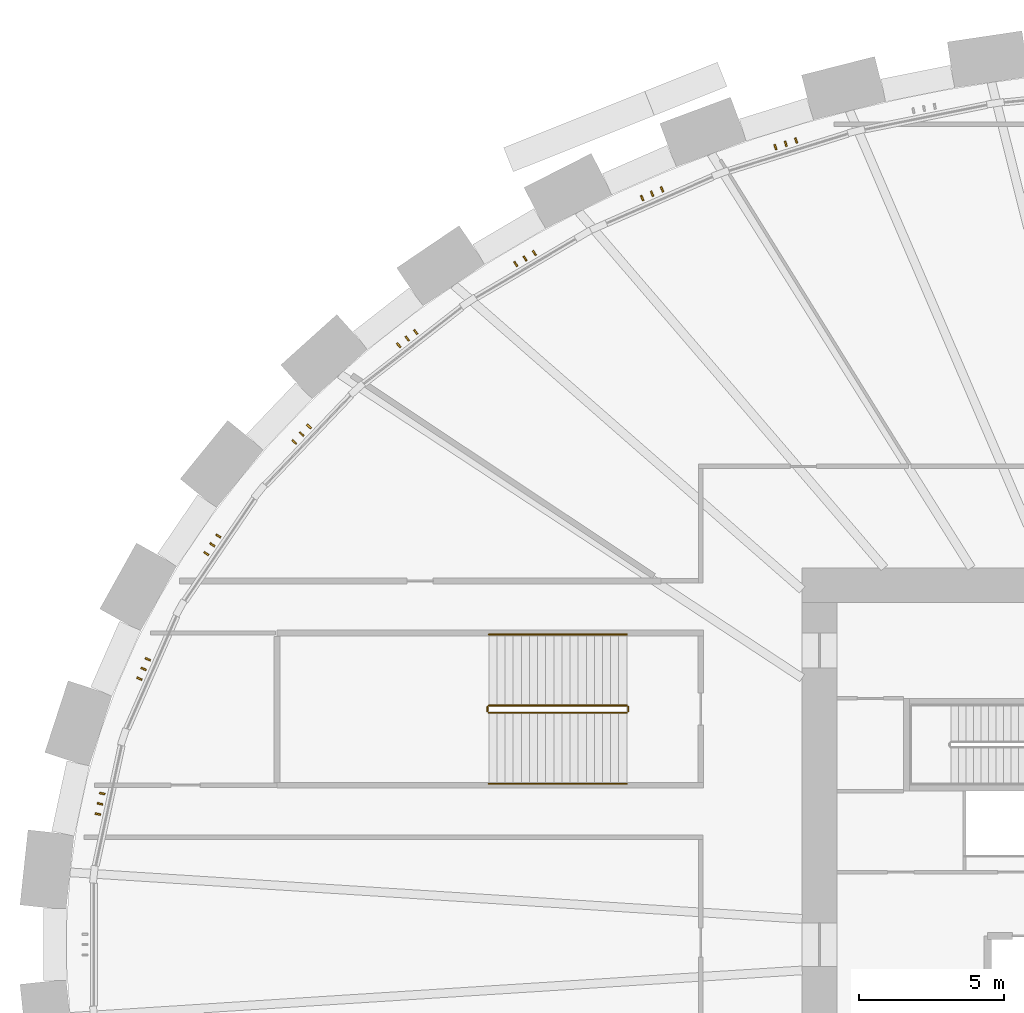
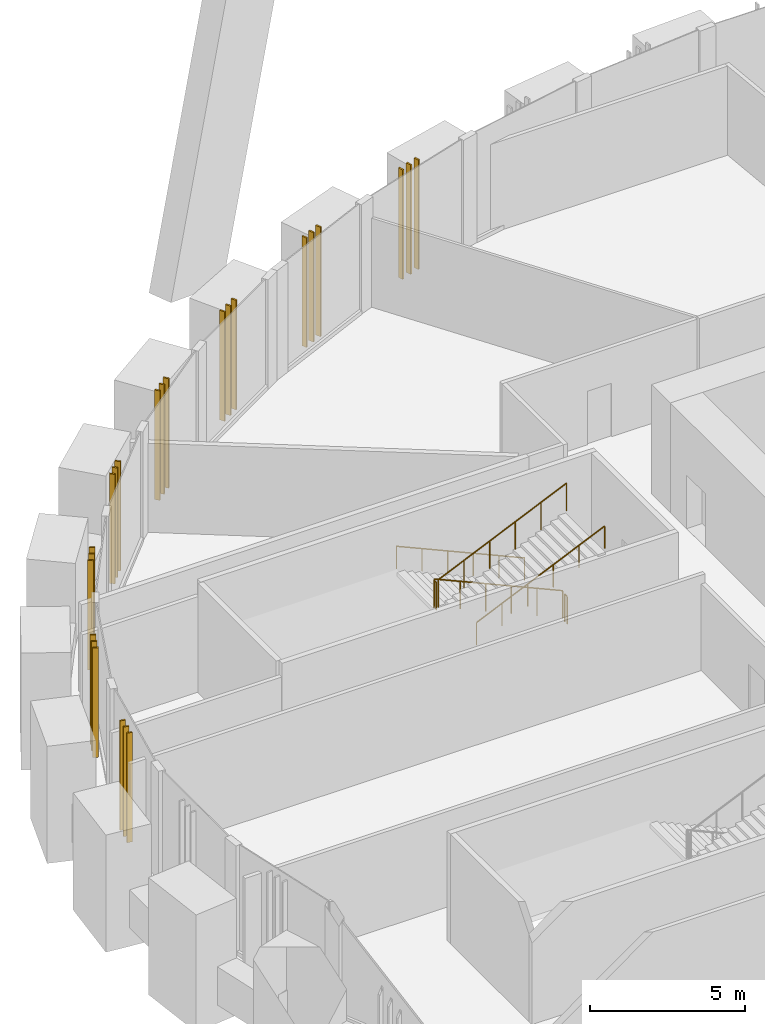
# One storey, part 16 of 21: 24 shading devices, 6 railings.
"""IFC4 building model written with IfcOpenShell, lengths in metres."""

from ifc_helpers import new_model, si_unit, direction, frame, origin, origin_2d, place, context, subcontext, project, spatial, rectangle, circle, extrude, source, transform, mapped, material, material_profile, profile_set, type_object, element, save


model = new_model("IFC4")

# Units and contexts
model_context = context("Model", 3, precision=1e-05, world=origin(), true_north=direction((0.0, 1.0)))
body_context = subcontext(model_context, "Body", "Model", "MODEL_VIEW")
ifc_project = project(units=[si_unit("LENGTHUNIT", "METRE"), si_unit("AREAUNIT", "SQUARE_METRE"), si_unit("VOLUMEUNIT", "CUBIC_METRE"), si_unit("PLANEANGLEUNIT", "RADIAN"), si_unit("MASSUNIT", "GRAM", prefix="KILO")], contexts=[model_context])

# Site, building, storey
site_placement = place(None, origin())
site = spatial("IfcSite", under=ifc_project, at=site_placement, CompositionType="ELEMENT")
building_placement = place(site_placement, origin())
building = spatial("IfcBuilding", under=site, at=building_placement, Name="Embergate Tower", CompositionType="ELEMENT")
storey_placement = place(building_placement, frame((0.0, 0.0, 33.5)))
storey = spatial("IfcBuildingStorey", under=building, at=storey_placement, Name="L04", CompositionType="ELEMENT", Elevation=33.5)

# Shading devices
ifc_material_1 = material(Name="Terracotta, extruded and glazed", Category="masonry")
ifc_material_profile = material_profile(ifc_material_1, rectangle(XDim=0.18994140625, YDim=0.06005859375, at=origin_2d()), Name="TC 190x60")
ifc_profile_set = profile_set([ifc_material_profile], Name="Terracotta, extruded and glazed")
shading_device_type = type_object("IfcShadingDeviceType", Name="Terracotta fin", PredefinedType="USERDEFINED", material=ifc_profile_set)
shared_shape_1 = source(origin(), body_context, "Body", "SweptSolid", [
    extrude(rectangle(XDim=0.18994140625, YDim=0.06005859375, at=origin_2d()), origin(), (0.0, 0.0, 1.0), 4.300048828125),
])
for number, where, z_axis, x_axis, name in (
    (1, (-14.20849609375, 27.742919921875, 0.0), (0.0, 0.0, 1.0), (0.297336547283, -0.954772736126, 0.0), "Fin 14.1"),
    (2, (-14.56640625, 27.631591796875, 0.0), (0.0, 0.0, 1.0), (0.297336547283, -0.954772736126, 0.0), "Fin 14.2"),
    (3, (-14.92431640625, 27.52001953125, 0.0), (0.0, 0.0, 1.0), (0.297336547283, -0.954772736126, 0.0), "Fin 14.3"),
    (4, (-18.8369140625, 26.060546875, 0.0), (0.0, 0.0, 1.0), (0.400636896638, -0.916236910986, 0.0), "Fin 15.1"),
    (5, (-19.179443359375, 25.910888671875, 0.0), (0.0, 0.0, 1.0), (0.400636896638, -0.916236910986, 0.0), "Fin 15.2"),
    (6, (-19.52197265625, 25.760986328125, 0.0), (0.0, 0.0, 1.0), (0.400636896638, -0.916236910986, 0.0), "Fin 15.3"),
    (7, (-23.2412109375, 23.863037109375, 0.0), (0.0, 0.0, 1.0), (0.506814843614, -0.862054936934, 0.0), "Fin 16.1"),
    (8, (-23.5625, 23.67431640625, 0.0), (0.0, 0.0, 1.0), (0.506814843614, -0.862054936934, 0.0), "Fin 16.2"),
    (9, (-23.8837890625, 23.4853515625, 0.0), (0.0, 0.0, 1.0), (0.506814843614, -0.862054936934, 0.0), "Fin 16.3"),
    (10, (-27.33642578125, 21.13818359375, 0.0), (0.0, 0.0, 1.0), (0.615262548398, -0.788322266931, 0.0), "Fin 17.1"),
    (11, (-27.62890625, 20.909912109375, 0.0), (0.0, 0.0, 1.0), (0.615262548398, -0.788322266931, 0.0), "Fin 17.2"),
    (12, (-27.92138671875, 20.681396484375, 0.0), (0.0, 0.0, 1.0), (0.615262548398, -0.788322266931, 0.0), "Fin 17.3"),
    (13, (-31.01513671875, 17.8798828125, 0.0), (0.0, 0.0, 1.0), (0.723678194673, -0.690137573644, 0.0), "Fin 18.1"),
    (14, (-31.269775390625, 17.61279296875, 0.0), (0.0, 0.0, 1.0), (0.723678194673, -0.690137573644, 0.0), "Fin 18.2"),
    (15, (-31.5244140625, 17.345703125, 0.0), (0.0, 0.0, 1.0), (0.723678194673, -0.690137573644, 0.0), "Fin 18.3"),
    (16, (-34.146240234375, 14.1005859375, 0.0), (0.0, 0.0, 1.0), (0.826901986809, -0.562346071572, 0.0), "Fin 19.1"),
    (17, (-34.352294921875, 13.797119140625, 0.0), (0.0, 0.0, 1.0), (0.826901986809, -0.562346071572, 0.0), "Fin 19.2"),
    (18, (-34.55859375, 13.493896484375, 0.0), (0.0, 0.0, 1.0), (0.826901986809, -0.562346071572, 0.0), "Fin 19.3"),
    (19, (-36.5771484375, 9.845458984375, 0.0), (0.0, 0.0, 1.0), (0.915790926844, -0.401655297873, 0.0), "Fin 20.1"),
    (20, (-36.723388671875, 9.51171875, 0.0), (0.0, 0.0, 1.0), (0.915790926844, -0.401655297873, 0.0), "Fin 20.2"),
    (21, (-36.869873046875, 9.177978515625, 0.0), (0.0, 0.0, 1.0), (0.915790926844, -0.401655297873, 0.0), "Fin 20.3"),
    (22, (-38.15185546875, 5.212890625, 0.0), (0.0, 0.0, 1.0), (0.977615363524, -0.210400097438, 0.0), "Fin 21.1"),
    (23, (-38.22802734375, 4.8583984375, 0.0), (0.0, 0.0, 1.0), (0.977615363524, -0.210400097438, 0.0), "Fin 21.2"),
    (24, (-38.30419921875, 4.504150390625, 0.0), (0.0, 0.0, 1.0), (0.977615363524, -0.210400097438, 0.0), "Fin 21.3"),
):
    element("IfcShadingDevice", number, at=place(storey_placement, frame(where, z_axis=z_axis, x_axis=x_axis)), inside=storey, type_object=shading_device_type, Name=name, ObjectType="FIN", PredefinedType="USERDEFINED", context=body_context, shape_type="MappedRepresentation", body=[
        mapped(shared_shape_1, transform((0.0, 0.0, 0.0))),
    ])

# Railings
ifc_material_2 = material(Name="Steel", Category="steel")
railing_type_1 = type_object("IfcRailingType", Name="Podium stair guard 1100", PredefinedType="GUARDRAIL", material=ifc_material_2)
shared_shape_2 = source(origin(), body_context, "Body", "SweptSolid", [
    extrude(circle(Radius=0.02392578125, at=origin_2d()), frame((0.0, 0.0, 1.076171875), z_axis=(0.913138193756, 0.0, 0.40765014302), x_axis=(0.0, 1.0, 0.0)), (0.0, 0.0, 1.0), 5.212890625),
    extrude(circle(Radius=0.02099609375, at=origin_2d()), origin(), (0.0, 0.0, 1.0), 1.052001953125),
    extrude(circle(Radius=0.02099609375, at=origin_2d()), frame((0.951904296875, 0.0, 0.425048828125)), (0.0, 0.0, 1.0), 1.052001953125),
    extrude(circle(Radius=0.02099609375, at=origin_2d()), frame((1.904052734375, 0.0, 0.85009765625)), (0.0, 0.0, 1.0), 1.052001953125),
    extrude(circle(Radius=0.02099609375, at=origin_2d()), frame((2.85595703125, 0.0, 1.27490234375)), (0.0, 0.0, 1.0), 1.052001953125),
    extrude(circle(Radius=0.02099609375, at=origin_2d()), frame((3.80810546875, 0.0, 1.699951171875)), (0.0, 0.0, 1.0), 1.052001953125),
    extrude(circle(Radius=0.02099609375, at=origin_2d()), frame((4.760009765625, 0.0, 2.125)), (0.0, 0.0, 1.0), 1.052001953125),
])
railing_1_placement = place(storey_placement, frame((-24.81005859375, 8.0, 2.375)))
element("IfcRailing", 25, at=railing_1_placement, inside=storey, type_object=railing_type_1, Name="L04 P3 stair guard 3", PredefinedType="GUARDRAIL", context=body_context, shape_type="MappedRepresentation", body=[
    mapped(shared_shape_2, transform((0.0, 0.0, 0.0))),
])
shared_shape_3 = source(origin(), body_context, "Body", "SweptSolid", [
    extrude(circle(Radius=0.02392578125, at=origin_2d()), frame((0.0, 0.0, 1.076171875), z_axis=(-0.913138193756, 0.0, 0.40765014302), x_axis=(0.0, -1.0, 0.0)), (0.0, 0.0, 1.0), 5.212890625),
    extrude(circle(Radius=0.02099609375, at=origin_2d()), origin(), (0.0, 0.0, 1.0), 1.052001953125),
    extrude(circle(Radius=0.02099609375, at=origin_2d()), frame((-0.951904296875, 0.0, 0.425048828125)), (0.0, 0.0, 1.0), 1.052001953125),
    extrude(circle(Radius=0.02099609375, at=origin_2d()), frame((-1.904052734375, 0.0, 0.85009765625)), (0.0, 0.0, 1.0), 1.052001953125),
    extrude(circle(Radius=0.02099609375, at=origin_2d()), frame((-2.85595703125, 0.0, 1.27490234375)), (0.0, 0.0, 1.0), 1.052001953125),
    extrude(circle(Radius=0.02099609375, at=origin_2d()), frame((-3.80810546875, 0.0, 1.699951171875)), (0.0, 0.0, 1.0), 1.052001953125),
    extrude(circle(Radius=0.02099609375, at=origin_2d()), frame((-4.760009765625, 0.0, 2.125)), (0.0, 0.0, 1.0), 1.052001953125),
])
railing_2_placement = place(storey_placement, frame((-20.050048828125, 8.25, 0.125)))
element("IfcRailing", 26, at=railing_2_placement, inside=storey, type_object=railing_type_1, Name="L04 P3 stair guard 1", PredefinedType="GUARDRAIL", context=body_context, shape_type="MappedRepresentation", body=[
    mapped(shared_shape_3, transform((0.0, 0.0, 0.0))),
])
railing_type_2 = type_object("IfcRailingType", Name="Podium stair handrail 900", PredefinedType="HANDRAIL", material=ifc_material_2)
shared_shape_4 = source(origin(), body_context, "Body", "SweptSolid", [
    extrude(circle(Radius=0.02392578125, at=origin_2d()), frame((0.0, 0.0, 0.8759765625), z_axis=(0.913138193756, 0.0, 0.40765014302), x_axis=(0.0, 1.0, 0.0)), (0.0, 0.0, 1.0), 5.212890625),
    extrude(circle(Radius=0.02099609375, at=origin_2d()), origin(), (0.0, 0.0, 1.0), 0.851806640625),
    extrude(circle(Radius=0.02099609375, at=origin_2d()), frame((0.951904296875, 0.0, 0.425048828125)), (0.0, 0.0, 1.0), 0.851806640625),
    extrude(circle(Radius=0.02099609375, at=origin_2d()), frame((1.904052734375, 0.0, 0.85009765625)), (0.0, 0.0, 1.0), 0.851806640625),
    extrude(circle(Radius=0.02099609375, at=origin_2d()), frame((2.85595703125, 0.0, 1.27490234375)), (0.0, 0.0, 1.0), 0.851806640625),
    extrude(circle(Radius=0.02099609375, at=origin_2d()), frame((3.80810546875, 0.0, 1.699951171875)), (0.0, 0.0, 1.0), 0.851806640625),
    extrude(circle(Radius=0.02099609375, at=origin_2d()), frame((4.760009765625, 0.0, 2.125)), (0.0, 0.0, 1.0), 0.851806640625),
])
railing_3_placement = place(storey_placement, frame((-24.81005859375, 5.550048828125, 2.375)))
element("IfcRailing", 27, at=railing_3_placement, inside=storey, type_object=railing_type_2, Name="L04 P3 stair handrail 2", PredefinedType="HANDRAIL", context=body_context, shape_type="MappedRepresentation", body=[
    mapped(shared_shape_4, transform((0.0, 0.0, 0.0))),
])
shared_shape_5 = source(origin(), body_context, "Body", "SweptSolid", [
    extrude(circle(Radius=0.02392578125, at=origin_2d()), frame((0.0, 0.0, 0.8759765625), z_axis=(-0.913138193756, 0.0, 0.40765014302), x_axis=(0.0, -1.0, 0.0)), (0.0, 0.0, 1.0), 5.212890625),
    extrude(circle(Radius=0.02099609375, at=origin_2d()), origin(), (0.0, 0.0, 1.0), 0.851806640625),
    extrude(circle(Radius=0.02099609375, at=origin_2d()), frame((-0.951904296875, 0.0, 0.425048828125)), (0.0, 0.0, 1.0), 0.851806640625),
    extrude(circle(Radius=0.02099609375, at=origin_2d()), frame((-1.904052734375, 0.0, 0.85009765625)), (0.0, 0.0, 1.0), 0.851806640625),
    extrude(circle(Radius=0.02099609375, at=origin_2d()), frame((-2.85595703125, 0.0, 1.27490234375)), (0.0, 0.0, 1.0), 0.851806640625),
    extrude(circle(Radius=0.02099609375, at=origin_2d()), frame((-3.80810546875, 0.0, 1.699951171875)), (0.0, 0.0, 1.0), 0.851806640625),
    extrude(circle(Radius=0.02099609375, at=origin_2d()), frame((-4.760009765625, 0.0, 2.125)), (0.0, 0.0, 1.0), 0.851806640625),
])
railing_4_placement = place(storey_placement, frame((-20.050048828125, 10.699951171875, 0.125)))
element("IfcRailing", 28, at=railing_4_placement, inside=storey, type_object=railing_type_2, Name="L04 P3 stair handrail 1", PredefinedType="HANDRAIL", context=body_context, shape_type="MappedRepresentation", body=[
    mapped(shared_shape_5, transform((0.0, 0.0, 0.0))),
])
shared_shape_6 = source(origin(), body_context, "Body", "SweptSolid", [
    extrude(circle(Radius=0.02392578125, at=origin_2d()), frame((0.0, 0.0, 1.076171875), z_axis=(0.0, -1.0, 0.0), x_axis=(1.0, 0.0, 0.0)), (0.0, 0.0, 1.0), 0.14990234375),
    extrude(circle(Radius=0.02099609375, at=origin_2d()), origin(), (0.0, 0.0, 1.0), 1.052001953125),
    extrude(circle(Radius=0.02099609375, at=origin_2d()), frame((0.0, -0.14990234375, 0.0)), (0.0, 0.0, 1.0), 1.052001953125),
])
for number, where, name in (
    (29, (-24.860107421875, 8.199951171875, 2.25), "L04 P3 stair guard 2"),
    (30, (-20.0, 8.199951171875, 0.0), "L04 P3 stair guard 4"),
):
    element("IfcRailing", number, at=place(storey_placement, frame(where)), inside=storey, type_object=railing_type_1, Name=name, PredefinedType="GUARDRAIL", context=body_context, shape_type="MappedRepresentation", body=[
        mapped(shared_shape_6, transform((0.0, 0.0, 0.0))),
    ])

save(model, "model.ifc")
